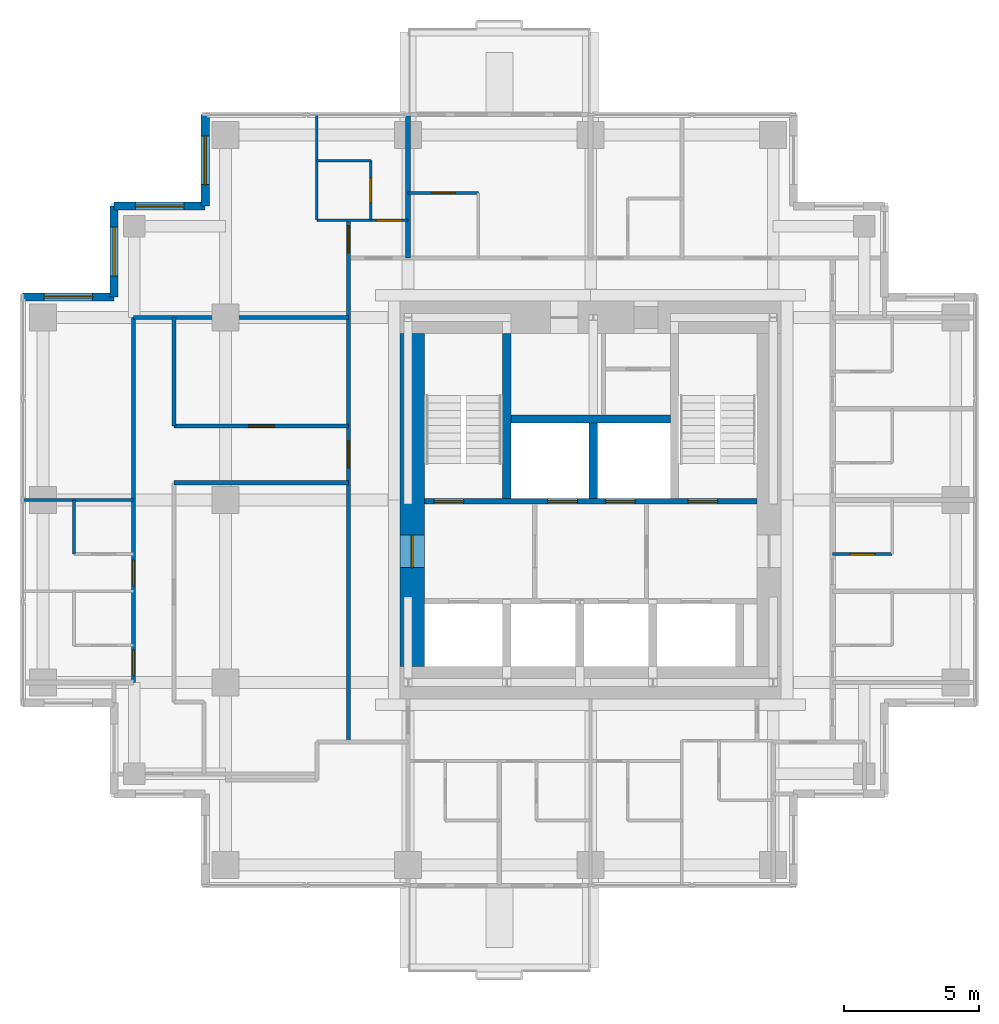
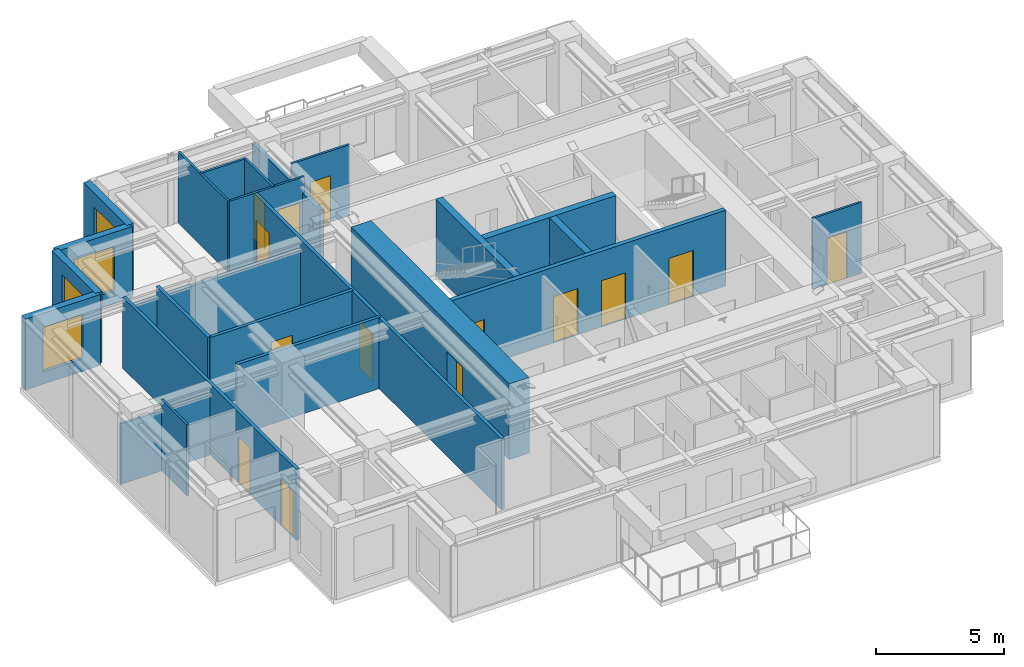
# One storey, part 5 of 8: 24 walls, 14 doors, 4 windows, 18 openings.
"""IFC4 building model written with IfcOpenShell, lengths in metres."""

import ifcopenshell
import ifcopenshell.guid

model = None  # the IFC model being written
_history = None  # IfcOwnerHistory: only IFC2X3 demands one
_inside = {}  # id of a spatial element -> (the spatial element, [elements in it])
_under = {}  # id of a project, library or spatial element -> (it, [spatial elements below it])
_declared = {}  # id of a project -> (the project, [libraries it declares])
_typed = {}  # id of a type object -> (the type object, [elements of that type])
_made_of = {}  # id of a material, layer set ... -> (it, [elements and type objects made of it])


def new_model(schema):
    """Start an empty IFC model of exactly this schema.

    Asked for "IFC4X3", IfcOpenShell would pick the latest addendum, in which some entities
    have other attributes; the version numbers below select the first issue.
    IFC2X3 requires an IfcOwnerHistory on every rooted entity: one is made here for all.
    """
    global model, _history
    if schema == "IFC4X3":
        model = ifcopenshell.file(schema_version=(4, 3, 0, 0))
    else:
        model = ifcopenshell.file(schema=schema)
    _inside.clear()
    _under.clear()
    _declared.clear()
    _typed.clear()
    _made_of.clear()
    _history = None
    if model.schema == "IFC2X3":
        org = make("IfcOrganization", Name="unknown")
        user = make(
            "IfcPersonAndOrganization",
            ThePerson=make("IfcPerson", FamilyName="unknown"),
            TheOrganization=org,
        )
        app = make(
            "IfcApplication",
            ApplicationDeveloper=org,
            Version="unknown",
            ApplicationFullName="unknown",
            ApplicationIdentifier="unknown",
        )
        _history = make(
            "IfcOwnerHistory",
            OwningUser=user,
            OwningApplication=app,
            ChangeAction="ADDED",
            CreationDate=0,
        )
    return model


def make(cls, **values):
    """One entity of the class cls with the attributes given. An attribute that is None is left unset."""
    return model.create_entity(
        cls, **{name: value for name, value in values.items() if value is not None}
    )


def rooted(cls, **values):
    """An entity with a GlobalId (a new one), such as an element, a storey or a relation."""
    return make(cls, GlobalId=ifcopenshell.guid.new(), OwnerHistory=_history, **values)


def si_unit(unit_type, name, prefix=None):
    """IfcSIUnit, for example si_unit("LENGTHUNIT", "METRE", prefix="MILLI")."""
    return make("IfcSIUnit", UnitType=unit_type, Prefix=prefix, Name=name)


def assignment(units):
    """IfcUnitAssignment: the units of a project."""
    return None if units is None else make("IfcUnitAssignment", Units=units)


def point(xyz):
    """IfcCartesianPoint."""
    return None if xyz is None else make("IfcCartesianPoint", Coordinates=xyz)


def direction(xyz):
    """IfcDirection."""
    return None if xyz is None else make("IfcDirection", DirectionRatios=xyz)


def frame(location, z_axis=None, x_axis=None):
    """IfcAxis2Placement3D, a coordinate frame: its origin and axes. An axis left out is left unset."""
    return make(
        "IfcAxis2Placement3D",
        Location=point(location),
        Axis=direction(z_axis),
        RefDirection=direction(x_axis),
    )


def frame_2d(location, x_axis=None):
    """IfcAxis2Placement2D, a coordinate frame in the plane: its origin and x axis."""
    return make(
        "IfcAxis2Placement2D", Location=point(location), RefDirection=direction(x_axis)
    )


def origin():
    """The frame at (0, 0, 0) with its axes left unset."""
    return frame((0.0, 0.0, 0.0))


def place(relative_to, where):
    """IfcLocalPlacement: puts the frame where relative to a parent placement (None: the world)."""
    return make(
        "IfcLocalPlacement", PlacementRelTo=relative_to, RelativePlacement=where
    )


def context(
    kind, dimensions, precision=None, world=None, true_north=None, identifier=None
):
    """IfcGeometricRepresentationContext, for example the 3D "Model" context."""
    return make(
        "IfcGeometricRepresentationContext",
        ContextIdentifier=identifier,
        ContextType=kind,
        CoordinateSpaceDimension=dimensions,
        Precision=precision,
        WorldCoordinateSystem=world,
        TrueNorth=true_north,
    )


def subcontext(parent, identifier, kind, view, scale=None):
    """IfcGeometricRepresentationSubContext, for example "Body" below "Model"."""
    return make(
        "IfcGeometricRepresentationSubContext",
        ContextIdentifier=identifier,
        ContextType=kind,
        ParentContext=parent,
        TargetScale=scale,
        TargetView=view,
    )


def project(units=None, contexts=None):
    """IfcProject with its units and contexts."""
    return rooted(
        "IfcProject",
        Name="project",
        RepresentationContexts=contexts,
        UnitsInContext=assignment(units),
    )


def spatial(cls, under=None, at=None, **own):
    """A site, building, storey or space (cls), placed at a placement, below another one or the project."""
    s = rooted(cls, ObjectPlacement=at, **own)
    if under is not None:
        _under.setdefault(under.id(), (under, []))[1].append(s)
    return s


def profile(cls, at=None, kind="AREA", **sizes):
    """A parametric profile (cls). Its sizes go by their IFC names, for example OverallWidth=200.0."""
    return make(cls, ProfileType=kind, Position=at, **sizes)


def rectangle(**sizes):
    """IfcRectangleProfileDef."""
    return profile("IfcRectangleProfileDef", **sizes)


def extrude(swept, where, along, depth):
    """IfcExtrudedAreaSolid: the profile swept, set in the frame where, extruded along a direction by depth."""
    return make(
        "IfcExtrudedAreaSolid",
        SweptArea=swept,
        Position=where,
        ExtrudedDirection=direction(along),
        Depth=depth,
    )


def shape(context_of_items, identifier, shape_type, items):
    """IfcShapeRepresentation: the items that make up one representation, for example the "Body"."""
    return make(
        "IfcShapeRepresentation",
        ContextOfItems=context_of_items,
        RepresentationIdentifier=identifier,
        RepresentationType=shape_type,
        Items=items,
    )


def material(Name=None, Category=None):
    """IfcMaterial."""
    return make("IfcMaterial", Name=Name, Category=Category)


def layer(
    of_material, thickness, ventilated=None, Name=None, Category=None, Priority=None
):
    """IfcMaterialLayer: one layer of a wall or slab, of a material (None: an air gap)."""
    return make(
        "IfcMaterialLayer",
        Material=of_material,
        LayerThickness=thickness,
        IsVentilated=ventilated,
        Name=Name,
        Category=Category,
        Priority=Priority,
    )


def layer_set(layers, Name=None):
    """IfcMaterialLayerSet."""
    return make("IfcMaterialLayerSet", MaterialLayers=layers, LayerSetName=Name)


def made_of(thing, what):
    """Note that an element or type object is made of a material, layer set ...; save() writes the relation."""
    if what is not None:
        _made_of.setdefault(what.id(), (what, []))[1].append(thing)
    return thing


def type_object(cls, material=None, **own):
    """A type object (cls), such as IfcWallType, which elements share."""
    return made_of(rooted(cls, **own), material)


def element(
    cls,
    number,
    at=None,
    inside=None,
    cuts=None,
    type_object=None,
    material=None,
    context=None,
    identifier="Body",
    shape_type=None,
    held_by="IfcProductDefinitionShape",
    body=None,
    shapes=None,
    **own,
):
    """One element of the class cls, such as IfcWall. Its Tag is "e" and its number.

    at: its placement. inside: the storey or other place that contains it. cuts: it is an
    opening in that element (IfcRelVoidsElement). A single representation is given by context,
    identifier, shape_type and body (its items); several are given by shapes. held_by: the class
    of the entity that holds the representations. save() writes the other relations.
    """
    e = rooted(cls, Tag="e%d" % number, ObjectPlacement=at, **own)
    if body is not None:
        shapes = [shape(context, identifier, shape_type, body)]
    if shapes is not None:
        e.Representation = make(held_by, Representations=shapes)
    if inside is not None:
        _inside.setdefault(inside.id(), (inside, []))[1].append(e)
    if cuts is not None:
        rooted(
            "IfcRelVoidsElement", RelatingBuildingElement=cuts, RelatedOpeningElement=e
        )
    if type_object is not None:
        _typed.setdefault(type_object.id(), (type_object, []))[1].append(e)
    return made_of(e, material)


def fill(opening, filler):
    """IfcRelFillsElement: the door or window that sits in an opening."""
    return rooted(
        "IfcRelFillsElement",
        RelatingOpeningElement=opening,
        RelatedBuildingElement=filler,
    )


def aggregate(whole, parts):
    """IfcRelAggregates: a whole, such as a stair, and the parts it consists of."""
    return rooted("IfcRelAggregates", RelatingObject=whole, RelatedObjects=parts)


def save(model, path):
    """Write the relations noted so far, then the file.

    IfcRelAggregates (storeys below a building ...), IfcRelContainedInSpatialStructure (elements
    in a storey), IfcRelDefinesByType, IfcRelAssociatesMaterial and IfcRelDeclares: one each for
    every whole, place, type object, material and project.
    """
    for whole, parts in _under.values():
        aggregate(whole, parts)
    for where, things in _inside.values():
        rooted(
            "IfcRelContainedInSpatialStructure",
            RelatedElements=things,
            RelatingStructure=where,
        )
    for kind, things in _typed.values():
        rooted("IfcRelDefinesByType", RelatedObjects=things, RelatingType=kind)
    for what, things in _made_of.values():
        rooted("IfcRelAssociatesMaterial", RelatedObjects=things, RelatingMaterial=what)
    for by, libraries in _declared.values():
        rooted("IfcRelDeclares", RelatingContext=by, RelatedDefinitions=libraries)
    model.write(path)


model = new_model("IFC4")

# Units and contexts
model_context = context("Model", 3, precision=1e-05, world=origin(), true_north=direction((0.0, 1.0)))
body_context = subcontext(model_context, "Body", "Model", "MODEL_VIEW")
ifc_project = project(units=[si_unit("LENGTHUNIT", "METRE"), si_unit("AREAUNIT", "SQUARE_METRE"), si_unit("VOLUMEUNIT", "CUBIC_METRE"), si_unit("PLANEANGLEUNIT", "RADIAN"), si_unit("MASSUNIT", "GRAM", prefix="KILO")], contexts=[model_context])

# Site, building, storey
site_placement = place(None, origin())
site = spatial("IfcSite", under=ifc_project, at=site_placement, CompositionType="ELEMENT")
building_placement = place(site_placement, origin())
building = spatial("IfcBuilding", under=site, at=building_placement, Name="Nyansa Garden Tower", CompositionType="ELEMENT")
storey_placement = place(building_placement, frame((0.0, 0.0, 247.5)))
storey = spatial("IfcBuildingStorey", under=building, at=storey_placement, Name="L67", CompositionType="ELEMENT", Elevation=247.5)

# Wall
ifc_material_1 = material(Name="Dense blockwork, plastered both sides, 55 dB", Category="masonry")
ifc_layer_1 = layer(ifc_material_1, 0.175048828125)
ifc_layer_set_1 = layer_set([ifc_layer_1], Name="Acoustic party wall PW175")
wall_type_1 = type_object("IfcWallType", Name="Acoustic party wall PW175", PredefinedType="PARTITIONING", material=ifc_layer_set_1)
wall_1_placement = place(storey_placement, frame((13.5, 29.199951171875, 0.0), z_axis=(0.0, 0.0, 1.0), x_axis=(0.0, 1.0, 0.0)))
element("IfcWall", 1, at=wall_1_placement, inside=storey, type_object=wall_type_1, Name="Party wall", PredefinedType="PARTITIONING", context=body_context, shape_type="SweptSolid", body=[
    extrude(rectangle(XDim=5.283935546875, YDim=0.175048828125, at=frame_2d((2.64208984375, 0.0))), origin(), (0.0, 0.0, 1.0), 2.610107421875),
])

# Wall, openings, doors
ifc_material_2 = material(Name="Concrete C70/85", Category="concrete")
ifc_layer_2 = layer(ifc_material_2, 0.199951171875)
ifc_layer_set_2 = layer_set([ifc_layer_2], Name="Core inner wall CI200")
wall_type_2 = type_object("IfcWallType", Name="Core inner wall CI200", PredefinedType="SHEAR", material=ifc_layer_set_2)
wall_2_placement = place(storey_placement, frame((14.10009765625, 20.199951171875, 0.0), z_axis=(0.0, 0.0, 1.0), x_axis=(1.0, 0.0, 0.0)))
wall_2 = element("IfcWall", 2, at=wall_2_placement, inside=storey, type_object=wall_type_2, Name="Core inner wall L67", PredefinedType="SHEAR", context=body_context, shape_type="SweptSolid", body=[
    extrude(rectangle(XDim=12.2998046875, YDim=0.199951171875, at=frame_2d((6.14990234375, 0.0))), origin(), (0.0, 0.0, 1.0), 3.60009765625),
])
opening_1_placement = place(wall_2_placement, frame((4.56005859375, 0.0, 0.0)))
opening_1 = element("IfcOpeningElement", 3, at=opening_1_placement, cuts=wall_2, Name="Opening LD-B", PredefinedType="OPENING", context=body_context, shape_type="SweptSolid", body=[
    extrude(rectangle(XDim=1.10009765625, YDim=2.199951171875, at=frame_2d((0.550048828125, 1.10009765625))), frame((0.0, 0.10986328125, 0.0), z_axis=(0.0, -1.0, 0.0), x_axis=(1.0, 0.0, 0.0)), (0.0, 0.0, 1.0), 0.219970703125),
])
opening_2_placement = place(wall_2_placement, frame((6.699951171875, 0.0, 0.0)))
opening_2 = element("IfcOpeningElement", 4, at=opening_2_placement, cuts=wall_2, Name="Opening LD-B", PredefinedType="OPENING", context=body_context, shape_type="SweptSolid", body=[
    extrude(rectangle(XDim=1.10009765625, YDim=2.199951171875, at=frame_2d((0.550048828125, 1.10009765625))), frame((0.0, 0.10986328125, 0.0), z_axis=(0.0, -1.0, 0.0), x_axis=(1.0, 0.0, 0.0)), (0.0, 0.0, 1.0), 0.219970703125),
])
opening_3_placement = place(wall_2_placement, frame((0.35009765625, 0.0, 0.0)))
opening_3 = element("IfcOpeningElement", 5, at=opening_3_placement, cuts=wall_2, Name="Opening D05", PredefinedType="OPENING", context=body_context, shape_type="SweptSolid", body=[
    extrude(rectangle(XDim=1.10009765625, YDim=2.199951171875, at=frame_2d((0.550048828125, 1.10009765625))), frame((0.0, 0.10986328125, 0.0), z_axis=(0.0, -1.0, 0.0), x_axis=(1.0, 0.0, 0.0)), (0.0, 0.0, 1.0), 0.219970703125),
])
opening_4_placement = place(wall_2_placement, frame((9.75, 0.0, 0.0)))
opening_4 = element("IfcOpeningElement", 6, at=opening_4_placement, cuts=wall_2, Name="Opening D05", PredefinedType="OPENING", context=body_context, shape_type="SweptSolid", body=[
    extrude(rectangle(XDim=1.10009765625, YDim=2.199951171875, at=frame_2d((0.550048828125, 1.10009765625))), frame((0.0, 0.10986328125, 0.0), z_axis=(0.0, -1.0, 0.0), x_axis=(1.0, 0.0, 0.0)), (0.0, 0.0, 1.0), 0.219970703125),
])
ifc_material_3 = material(Name="Stainless steel centre-opening landing door of the high-rise lift, E 120", Category="steel")
door_type_1 = type_object("IfcDoorType", Name="Lift landing door LD-B 1100x2200", OperationType="DOUBLE_DOOR_SLIDING", PredefinedType="DOOR", material=ifc_material_3)
door_1_placement = place(opening_1_placement, origin())
door_1 = element("IfcDoor", 7, at=door_1_placement, inside=storey, type_object=door_type_1, Name="Landing door B3", OperationType="DOUBLE_DOOR_SLIDING", OverallHeight=2.199951171875, OverallWidth=1.10009765625, PredefinedType="DOOR", context=body_context, shape_type="SweptSolid", body=[
    extrude(rectangle(XDim=1.10009765625, YDim=2.199951171875, at=frame_2d((0.550048828125, 1.10009765625))), frame((0.0, 0.02490234375, 0.0), z_axis=(0.0, -1.0, 0.0), x_axis=(1.0, 0.0, 0.0)), (0.0, 0.0, 1.0), 0.050048828125),
])
fill(opening_1, door_1)
door_2_placement = place(opening_2_placement, origin())
door_2 = element("IfcDoor", 8, at=door_2_placement, inside=storey, type_object=door_type_1, Name="Landing door B4", OperationType="DOUBLE_DOOR_SLIDING", OverallHeight=2.199951171875, OverallWidth=1.10009765625, PredefinedType="DOOR", context=body_context, shape_type="SweptSolid", body=[
    extrude(rectangle(XDim=1.10009765625, YDim=2.199951171875, at=frame_2d((0.550048828125, 1.10009765625))), frame((0.0, 0.02490234375, 0.0), z_axis=(0.0, -1.0, 0.0), x_axis=(1.0, 0.0, 0.0)), (0.0, 0.0, 1.0), 0.050048828125),
])
fill(opening_2, door_2)
ifc_material_4 = material(Name="Steel door, 120 minute fire resisting", Category="steel")
door_type_2 = type_object("IfcDoorType", Name="Stair door D05 1100x2200", OperationType="SINGLE_SWING_LEFT", PredefinedType="DOOR", material=ifc_material_4)
door_3_placement = place(opening_3_placement, origin())
door_3 = element("IfcDoor", 9, at=door_3_placement, inside=storey, type_object=door_type_2, Name="Stair S1 door", OperationType="SINGLE_SWING_LEFT", OverallHeight=2.199951171875, OverallWidth=1.10009765625, PredefinedType="DOOR", context=body_context, shape_type="SweptSolid", body=[
    extrude(rectangle(XDim=1.10009765625, YDim=2.199951171875, at=frame_2d((0.550048828125, 1.10009765625))), frame((0.0, 0.02490234375, 0.0), z_axis=(0.0, -1.0, 0.0), x_axis=(1.0, 0.0, 0.0)), (0.0, 0.0, 1.0), 0.050048828125),
])
fill(opening_3, door_3)
door_4_placement = place(opening_4_placement, origin())
door_4 = element("IfcDoor", 10, at=door_4_placement, inside=storey, type_object=door_type_2, Name="Stair S2 door", OperationType="SINGLE_SWING_LEFT", OverallHeight=2.199951171875, OverallWidth=1.10009765625, PredefinedType="DOOR", context=body_context, shape_type="SweptSolid", body=[
    extrude(rectangle(XDim=1.10009765625, YDim=2.199951171875, at=frame_2d((0.550048828125, 1.10009765625))), frame((0.0, 0.02490234375, 0.0), z_axis=(0.0, -1.0, 0.0), x_axis=(1.0, 0.0, 0.0)), (0.0, 0.0, 1.0), 0.050048828125),
])
fill(opening_4, door_4)

# Walls
ifc_material_5 = material(Name="Concrete C70/85", Category="concrete")
ifc_layer_3 = layer(ifc_material_5, 0.300048828125)
ifc_layer_set_3 = layer_set([ifc_layer_3], Name="Core inner wall CI300")
wall_type_3 = type_object("IfcWallType", Name="Core inner wall CI300", PredefinedType="SHEAR", material=ifc_layer_set_3)
wall_3_placement = place(storey_placement, frame((17.14990234375, 20.300048828125, 0.0), z_axis=(0.0, 0.0, 1.0), x_axis=(0.0, 1.0, 0.0)))
element("IfcWall", 11, at=wall_3_placement, inside=storey, type_object=wall_type_3, Name="Core inner wall L67", PredefinedType="SHEAR", context=body_context, shape_type="SweptSolid", body=[
    extrude(rectangle(XDim=6.099853515625, YDim=0.300048828125, at=frame_2d((3.0498046875, 0.0))), origin(), (0.0, 0.0, 1.0), 3.60009765625),
])
wall_4_placement = place(storey_placement, frame((20.35009765625, 20.300048828125, 0.0), z_axis=(0.0, 0.0, 1.0), x_axis=(0.0, 1.0, 0.0)))
element("IfcWall", 12, at=wall_4_placement, inside=storey, type_object=wall_type_3, Name="Core inner wall L67", PredefinedType="SHEAR", context=body_context, shape_type="SweptSolid", body=[
    extrude(rectangle(XDim=2.800048828125, YDim=0.300048828125, at=frame_2d((1.39990234375, 0.0))), origin(), (0.0, 0.0, 1.0), 3.60009765625),
])
wall_5_placement = place(storey_placement, frame((17.300048828125, 23.25, 0.0), z_axis=(0.0, 0.0, 1.0), x_axis=(1.0, 0.0, 0.0)))
element("IfcWall", 13, at=wall_5_placement, inside=storey, type_object=wall_type_3, Name="Core inner wall L67", PredefinedType="SHEAR", context=body_context, shape_type="SweptSolid", body=[
    extrude(rectangle(XDim=5.89990234375, YDim=0.300048828125, at=frame_2d((2.949951171875, 0.0))), origin(), (0.0, 0.0, 1.0), 3.60009765625),
])

# Wall, opening, door
ifc_material_6 = material(Name="Concrete C80/95", Category="concrete")
ifc_layer_4 = layer(ifc_material_6, 0.89990234375)
ifc_layer_set_4 = layer_set([ifc_layer_4], Name="Core wall CW900")
wall_type_4 = type_object("IfcWallType", Name="Core wall CW900", PredefinedType="SHEAR", material=ifc_layer_set_4)
wall_6_placement = place(storey_placement, frame((13.64990234375, 26.39990234375, 0.0), z_axis=(0.0, 0.0, 1.0), x_axis=(0.0, -1.0, 0.0)))
wall_6 = element("IfcWall", 14, at=wall_6_placement, inside=storey, type_object=wall_type_4, Name="Core wall W L67", PredefinedType="SHEAR", context=body_context, shape_type="SweptSolid", body=[
    extrude(rectangle(XDim=12.2998046875, YDim=0.89990234375, at=frame_2d((6.14990234375, 0.0))), origin(), (0.0, 0.0, 1.0), 3.60009765625),
])
opening_5_placement = place(wall_6_placement, frame((7.449951171875, 0.0, 0.0)))
opening_5 = element("IfcOpeningElement", 15, at=opening_5_placement, cuts=wall_6, Name="Opening D06", PredefinedType="OPENING", context=body_context, shape_type="SweptSolid", body=[
    extrude(rectangle(XDim=1.199951171875, YDim=2.199951171875, at=frame_2d((0.60009765625, 1.10009765625))), frame((0.0, 0.4599609375, 0.0), z_axis=(0.0, -1.0, 0.0), x_axis=(1.0, 0.0, 0.0)), (0.0, 0.0, 1.0), 0.919921875),
])
ifc_material_7 = material(Name="Steel door, 120 minute fire resisting", Category="steel")
door_type_3 = type_object("IfcDoorType", Name="Lobby door D06 1200x2200", OperationType="DOUBLE_DOOR_SINGLE_SWING", PredefinedType="DOOR", material=ifc_material_7)
door_5_placement = place(opening_5_placement, origin())
door_5 = element("IfcDoor", 16, at=door_5_placement, inside=storey, type_object=door_type_3, Name="Lift lobby door west", OperationType="DOUBLE_DOOR_SINGLE_SWING", OverallHeight=2.199951171875, OverallWidth=1.199951171875, PredefinedType="DOOR", context=body_context, shape_type="SweptSolid", body=[
    extrude(rectangle(XDim=1.199951171875, YDim=2.199951171875, at=frame_2d((0.60009765625, 1.10009765625))), frame((0.0, 0.02490234375, 0.0), z_axis=(0.0, -1.0, 0.0), x_axis=(1.0, 0.0, 0.0)), (0.0, 0.0, 1.0), 0.050048828125),
])
fill(opening_5, door_5)

# Wall, openings, doors
ifc_material_8 = material(Name="Blockwork, plastered both sides", Category="masonry")
ifc_layer_5 = layer(ifc_material_8, 0.14990234375)
ifc_layer_set_5 = layer_set([ifc_layer_5], Name="Partition PW150")
wall_type_5 = type_object("IfcWallType", Name="Partition PW150", PredefinedType="PARTITIONING", material=ifc_layer_set_5)
wall_7_placement = place(storey_placement, frame((3.35009765625, 13.5, 0.0), z_axis=(0.0, 0.0, 1.0), x_axis=(0.0, 1.0, 0.0)))
wall_7 = element("IfcWall", 17, at=wall_7_placement, inside=storey, type_object=wall_type_5, Name="Partition", PredefinedType="PARTITIONING", context=body_context, shape_type="SweptSolid", body=[
    extrude(rectangle(XDim=13.5, YDim=0.14990234375, at=frame_2d((6.75, 0.0))), origin(), (0.0, 0.0, 1.0), 3.375),
])
opening_6_placement = place(wall_7_placement, frame((0.25, 0.0, 0.0)))
opening_6 = element("IfcOpeningElement", 18, at=opening_6_placement, cuts=wall_7, Name="Opening D14", PredefinedType="OPENING", context=body_context, shape_type="SweptSolid", body=[
    extrude(rectangle(XDim=0.949951171875, YDim=2.199951171875, at=frame_2d((0.47509765625, 1.10009765625))), frame((0.0, 0.0849609375, 0.0), z_axis=(0.0, -1.0, 0.0), x_axis=(1.0, 0.0, 0.0)), (0.0, 0.0, 1.0), 0.169921875),
])
opening_7_placement = place(wall_7_placement, frame((3.574951171875, 0.0, 0.0)))
opening_7 = element("IfcOpeningElement", 19, at=opening_7_placement, cuts=wall_7, Name="Opening D14", PredefinedType="OPENING", context=body_context, shape_type="SweptSolid", body=[
    extrude(rectangle(XDim=0.949951171875, YDim=2.199951171875, at=frame_2d((0.47509765625, 1.10009765625))), frame((0.0, 0.0849609375, 0.0), z_axis=(0.0, -1.0, 0.0), x_axis=(1.0, 0.0, 0.0)), (0.0, 0.0, 1.0), 0.169921875),
])
ifc_material_9 = material(Name="Timber flush door, 60 minute fire resisting, self-closing", Category="wood")
door_type_4 = type_object("IfcDoorType", Name="Studio entrance door D14 950x2200", OperationType="SINGLE_SWING_LEFT", PredefinedType="DOOR", material=ifc_material_9)
door_6_placement = place(opening_6_placement, origin())
door_6 = element("IfcDoor", 20, at=door_6_placement, inside=storey, type_object=door_type_4, Name="Door L67-048", OperationType="SINGLE_SWING_LEFT", OverallHeight=2.199951171875, OverallWidth=0.949951171875, PredefinedType="DOOR", context=body_context, shape_type="SweptSolid", body=[
    extrude(rectangle(XDim=0.949951171875, YDim=2.199951171875, at=frame_2d((0.47509765625, 1.10009765625))), frame((0.0, 0.02490234375, 0.0), z_axis=(0.0, -1.0, 0.0), x_axis=(1.0, 0.0, 0.0)), (0.0, 0.0, 1.0), 0.050048828125),
])
fill(opening_6, door_6)
door_7_placement = place(opening_7_placement, origin())
door_7 = element("IfcDoor", 21, at=door_7_placement, inside=storey, type_object=door_type_4, Name="Door L67-050", OperationType="SINGLE_SWING_LEFT", OverallHeight=2.199951171875, OverallWidth=0.949951171875, PredefinedType="DOOR", context=body_context, shape_type="SweptSolid", body=[
    extrude(rectangle(XDim=0.949951171875, YDim=2.199951171875, at=frame_2d((0.47509765625, 1.10009765625))), frame((0.0, 0.02490234375, 0.0), z_axis=(0.0, -1.0, 0.0), x_axis=(1.0, 0.0, 0.0)), (0.0, 0.0, 1.0), 0.050048828125),
])
fill(opening_7, door_7)

# Walls
wall_8_placement = place(storey_placement, frame((3.35009765625, 27.0, 0.0), z_axis=(0.0, 0.0, 1.0), x_axis=(1.0, 0.0, 0.0)))
element("IfcWall", 22, at=wall_8_placement, inside=storey, type_object=wall_type_5, Name="Partition", PredefinedType="PARTITIONING", context=body_context, shape_type="SweptSolid", body=[
    extrude(rectangle(XDim=7.949951171875, YDim=0.14990234375, at=frame_2d((3.97509765625, 0.0))), origin(), (0.0, 0.0, 1.0), 2.876953125),
])
wall_9_placement = place(storey_placement, frame((4.85009765625, 20.886962890625, 0.0), z_axis=(0.0, 0.0, 1.0), x_axis=(1.0, 0.0, 0.0)))
element("IfcWall", 23, at=wall_9_placement, inside=storey, type_object=wall_type_5, Name="Partition", PredefinedType="PARTITIONING", context=body_context, shape_type="SweptSolid", body=[
    extrude(rectangle(XDim=6.449951171875, YDim=0.14990234375, at=frame_2d((3.22509765625, 0.0))), origin(), (0.0, 0.0, 1.0), 3.375),
])
wall_10_placement = place(storey_placement, frame((4.85009765625, 22.987548828125, 0.0), z_axis=(0.0, 0.0, 1.0), x_axis=(0.0, 1.0, 0.0)))
element("IfcWall", 24, at=wall_10_placement, inside=storey, type_object=wall_type_5, Name="Partition", PredefinedType="PARTITIONING", context=body_context, shape_type="SweptSolid", body=[
    extrude(rectangle(XDim=4.012451171875, YDim=0.14990234375, at=frame_2d((2.00634765625, 0.0))), origin(), (0.0, 0.0, 1.0), 3.375),
])

# Wall, opening, door
wall_11_placement = place(storey_placement, frame((4.85009765625, 22.988037109375, 0.0), z_axis=(0.0, 0.0, 1.0), x_axis=(1.0, 0.0, 0.0)))
wall_11 = element("IfcWall", 25, at=wall_11_placement, inside=storey, type_object=wall_type_5, Name="Partition", PredefinedType="PARTITIONING", context=body_context, shape_type="SweptSolid", body=[
    extrude(rectangle(XDim=6.449951171875, YDim=0.14990234375, at=frame_2d((3.22509765625, 0.0))), origin(), (0.0, 0.0, 1.0), 3.375),
])
opening_8_placement = place(wall_11_placement, frame((2.75, 0.0, 0.0)))
opening_8 = element("IfcOpeningElement", 26, at=opening_8_placement, cuts=wall_11, Name="Opening D01", PredefinedType="OPENING", context=body_context, shape_type="SweptSolid", body=[
    extrude(rectangle(XDim=0.949951171875, YDim=2.199951171875, at=frame_2d((0.47509765625, 1.10009765625))), frame((0.0, 0.0849609375, 0.0), z_axis=(0.0, -1.0, 0.0), x_axis=(1.0, 0.0, 0.0)), (0.0, 0.0, 1.0), 0.169921875),
])
ifc_material_10 = material(Name="Timber flush door, 30 minute fire resisting", Category="wood")
door_type_5 = type_object("IfcDoorType", Name="Bedroom door D01 950x2200", OperationType="SINGLE_SWING_LEFT", PredefinedType="DOOR", material=ifc_material_10)
door_8_placement = place(opening_8_placement, origin())
door_8 = element("IfcDoor", 27, at=door_8_placement, inside=storey, type_object=door_type_5, Name="Door L67-053", OperationType="SINGLE_SWING_LEFT", OverallHeight=2.199951171875, OverallWidth=0.949951171875, PredefinedType="DOOR", context=body_context, shape_type="SweptSolid", body=[
    extrude(rectangle(XDim=0.949951171875, YDim=2.199951171875, at=frame_2d((0.47509765625, 1.10009765625))), frame((0.0, 0.02490234375, 0.0), z_axis=(0.0, -1.0, 0.0), x_axis=(1.0, 0.0, 0.0)), (0.0, 0.0, 1.0), 0.050048828125),
])
fill(opening_8, door_8)

# Wall, openings, doors
wall_12_placement = place(storey_placement, frame((11.300048828125, 11.300048828125, 0.0), z_axis=(0.0, 0.0, 1.0), x_axis=(0.0, 1.0, 0.0)))
wall_12 = element("IfcWall", 28, at=wall_12_placement, inside=storey, type_object=wall_type_5, Name="Partition", PredefinedType="PARTITIONING", context=body_context, shape_type="SweptSolid", body=[
    extrude(rectangle(XDim=19.300048828125, YDim=0.14990234375, at=frame_2d((9.64990234375, 0.0))), origin(), (0.0, 0.0, 1.0), 3.375),
])
opening_9_placement = place(wall_12_placement, frame((18.10009765625, 0.0, 0.0)))
opening_9 = element("IfcOpeningElement", 29, at=opening_9_placement, cuts=wall_12, Name="Opening D03", PredefinedType="OPENING", context=body_context, shape_type="SweptSolid", body=[
    extrude(rectangle(XDim=1.0, YDim=2.199951171875, at=frame_2d((0.5, 1.10009765625))), frame((0.0, 0.0849609375, 0.0), z_axis=(0.0, -1.0, 0.0), x_axis=(1.0, 0.0, 0.0)), (0.0, 0.0, 1.0), 0.169921875),
])
opening_10_placement = place(wall_12_placement, frame((10.137451171875, 0.0, 0.0)))
opening_10 = element("IfcOpeningElement", 30, at=opening_10_placement, cuts=wall_12, Name="Opening D03", PredefinedType="OPENING", context=body_context, shape_type="SweptSolid", body=[
    extrude(rectangle(XDim=1.0, YDim=2.199951171875, at=frame_2d((0.5, 1.10009765625))), frame((0.0, 0.0849609375, 0.0), z_axis=(0.0, -1.0, 0.0), x_axis=(1.0, 0.0, 0.0)), (0.0, 0.0, 1.0), 0.169921875),
])
ifc_material_11 = material(Name="Timber flush door, 60 minute fire resisting", Category="wood")
door_type_6 = type_object("IfcDoorType", Name="Cluster entrance door D03 1000x2200", OperationType="SINGLE_SWING_LEFT", PredefinedType="DOOR", material=ifc_material_11)
door_9_placement = place(opening_9_placement, origin())
door_9 = element("IfcDoor", 31, at=door_9_placement, inside=storey, type_object=door_type_6, Name="Door L67-047", OperationType="SINGLE_SWING_LEFT", OverallHeight=2.199951171875, OverallWidth=1.0, PredefinedType="DOOR", context=body_context, shape_type="SweptSolid", body=[
    extrude(rectangle(XDim=1.0, YDim=2.199951171875, at=frame_2d((0.5, 1.10009765625))), frame((0.0, 0.02490234375, 0.0), z_axis=(0.0, -1.0, 0.0), x_axis=(1.0, 0.0, 0.0)), (0.0, 0.0, 1.0), 0.050048828125),
])
fill(opening_9, door_9)
door_10_placement = place(opening_10_placement, origin())
door_10 = element("IfcDoor", 32, at=door_10_placement, inside=storey, type_object=door_type_6, Name="Door L67-052", OperationType="SINGLE_SWING_LEFT", OverallHeight=2.199951171875, OverallWidth=1.0, PredefinedType="DOOR", context=body_context, shape_type="SweptSolid", body=[
    extrude(rectangle(XDim=1.0, YDim=2.199951171875, at=frame_2d((0.5, 1.10009765625))), frame((0.0, 0.02490234375, 0.0), z_axis=(0.0, -1.0, 0.0), x_axis=(1.0, 0.0, 0.0)), (0.0, 0.0, 1.0), 0.050048828125),
])
fill(opening_10, door_10)

# Wall, opening, window
ifc_material_12 = material(Name="Turquoise glazed tile on concrete blockwork", Category="masonry")
ifc_layer_6 = layer(ifc_material_12, 0.300048828125)
ifc_layer_set_6 = layer_set([ifc_layer_6], Name="Tiled corner wall TW300")
wall_type_6 = type_object("IfcWallType", Name="Tiled corner wall TW300", PredefinedType="SOLIDWALL", material=ifc_layer_set_6)
wall_13_placement = place(storey_placement, frame((6.0, 34.5, 0.0), z_axis=(0.0, 0.0, 1.0), x_axis=(0.0, -1.0, 0.0)))
wall_13 = element("IfcWall", 33, at=wall_13_placement, inside=storey, type_object=wall_type_6, Name="Tiled corner wall L67", PredefinedType="SOLIDWALL", context=body_context, shape_type="SweptSolid", body=[
    extrude(rectangle(XDim=3.375, YDim=0.300048828125, at=frame_2d((1.6875, 0.0))), origin(), (0.0, 0.0, 1.0), 3.375),
])
opening_11_placement = place(wall_13_placement, frame((0.78759765625, 0.0, 0.60009765625)))
opening_11 = element("IfcOpeningElement", 34, at=opening_11_placement, cuts=wall_13, Name="Opening W2", PredefinedType="OPENING", context=body_context, shape_type="SweptSolid", body=[
    extrude(rectangle(XDim=1.800048828125, YDim=2.10009765625, at=frame_2d((0.89990234375, 1.050048828125))), frame((0.0, 0.159912109375, 0.0), z_axis=(0.0, -1.0, 0.0), x_axis=(1.0, 0.0, 0.0)), (0.0, 0.0, 1.0), 0.320068359375),
])
ifc_material_13 = material(Name="Black aluminium frame, dark tinted double glazing", Category="aluminium")
window_type = type_object("IfcWindowType", Name="Window W2 1800x2100", PartitioningType="SINGLE_PANEL", PredefinedType="WINDOW", material=ifc_material_13)
window_1_placement = place(opening_11_placement, origin())
window_1 = element("IfcWindow", 35, at=window_1_placement, inside=storey, type_object=window_type, Name="Corner window L67", OverallHeight=2.10009765625, OverallWidth=1.800048828125, PartitioningType="SINGLE_PANEL", PredefinedType="WINDOW", context=body_context, shape_type="SweptSolid", body=[
    extrude(rectangle(XDim=1.800048828125, YDim=2.10009765625, at=frame_2d((0.89990234375, 1.050048828125))), frame((0.0, 0.030029296875, 0.0), z_axis=(0.0, -1.0, 0.0), x_axis=(1.0, 0.0, 0.0)), (0.0, 0.0, 1.0), 0.06005859375),
])
fill(opening_11, window_1)

wall_14_placement = place(storey_placement, frame((6.0, 31.125, 0.0), z_axis=(0.0, 0.0, 1.0), x_axis=(-1.0, 0.0, 0.0)))
wall_14 = element("IfcWall", 36, at=wall_14_placement, inside=storey, type_object=wall_type_6, Name="Tiled corner wall L67", PredefinedType="SOLIDWALL", context=body_context, shape_type="SweptSolid", body=[
    extrude(rectangle(XDim=3.375, YDim=0.300048828125, at=frame_2d((1.6875, 0.0))), origin(), (0.0, 0.0, 1.0), 3.375),
])
opening_12_placement = place(wall_14_placement, frame((0.78759765625, 0.0, 0.60009765625)))
opening_12 = element("IfcOpeningElement", 37, at=opening_12_placement, cuts=wall_14, Name="Opening W2", PredefinedType="OPENING", context=body_context, shape_type="SweptSolid", body=[
    extrude(rectangle(XDim=1.800048828125, YDim=2.10009765625, at=frame_2d((0.89990234375, 1.050048828125))), frame((0.0, 0.159912109375, 0.0), z_axis=(0.0, -1.0, 0.0), x_axis=(1.0, 0.0, 0.0)), (0.0, 0.0, 1.0), 0.320068359375),
])
window_2_placement = place(opening_12_placement, origin())
window_2 = element("IfcWindow", 38, at=window_2_placement, inside=storey, type_object=window_type, Name="Corner window L67", OverallHeight=2.10009765625, OverallWidth=1.800048828125, PartitioningType="SINGLE_PANEL", PredefinedType="WINDOW", context=body_context, shape_type="SweptSolid", body=[
    extrude(rectangle(XDim=1.800048828125, YDim=2.10009765625, at=frame_2d((0.89990234375, 1.050048828125))), frame((0.0, 0.030029296875, 0.0), z_axis=(0.0, -1.0, 0.0), x_axis=(1.0, 0.0, 0.0)), (0.0, 0.0, 1.0), 0.06005859375),
])
fill(opening_12, window_2)

wall_15_placement = place(storey_placement, frame((2.625, 31.125, 0.0), z_axis=(0.0, 0.0, 1.0), x_axis=(0.0, -1.0, 0.0)))
wall_15 = element("IfcWall", 39, at=wall_15_placement, inside=storey, type_object=wall_type_6, Name="Tiled corner wall L67", PredefinedType="SOLIDWALL", context=body_context, shape_type="SweptSolid", body=[
    extrude(rectangle(XDim=3.375, YDim=0.300048828125, at=frame_2d((1.6875, 0.0))), origin(), (0.0, 0.0, 1.0), 3.375),
])
opening_13_placement = place(wall_15_placement, frame((0.78759765625, 0.0, 0.60009765625)))
opening_13 = element("IfcOpeningElement", 40, at=opening_13_placement, cuts=wall_15, Name="Opening W2", PredefinedType="OPENING", context=body_context, shape_type="SweptSolid", body=[
    extrude(rectangle(XDim=1.800048828125, YDim=2.10009765625, at=frame_2d((0.89990234375, 1.050048828125))), frame((0.0, 0.159912109375, 0.0), z_axis=(0.0, -1.0, 0.0), x_axis=(1.0, 0.0, 0.0)), (0.0, 0.0, 1.0), 0.320068359375),
])
window_3_placement = place(opening_13_placement, origin())
window_3 = element("IfcWindow", 41, at=window_3_placement, inside=storey, type_object=window_type, Name="Corner window L67", OverallHeight=2.10009765625, OverallWidth=1.800048828125, PartitioningType="SINGLE_PANEL", PredefinedType="WINDOW", context=body_context, shape_type="SweptSolid", body=[
    extrude(rectangle(XDim=1.800048828125, YDim=2.10009765625, at=frame_2d((0.89990234375, 1.050048828125))), frame((0.0, 0.030029296875, 0.0), z_axis=(0.0, -1.0, 0.0), x_axis=(1.0, 0.0, 0.0)), (0.0, 0.0, 1.0), 0.06005859375),
])
fill(opening_13, window_3)

wall_16_placement = place(storey_placement, frame((2.625, 27.75, 0.0), z_axis=(0.0, 0.0, 1.0), x_axis=(-1.0, 0.0, 0.0)))
wall_16 = element("IfcWall", 42, at=wall_16_placement, inside=storey, type_object=wall_type_6, Name="Tiled corner wall L67", PredefinedType="SOLIDWALL", context=body_context, shape_type="SweptSolid", body=[
    extrude(rectangle(XDim=3.375, YDim=0.300048828125, at=frame_2d((1.6875, 0.0))), origin(), (0.0, 0.0, 1.0), 3.375),
])
opening_14_placement = place(wall_16_placement, frame((0.78759765625, 0.0, 0.60009765625)))
opening_14 = element("IfcOpeningElement", 43, at=opening_14_placement, cuts=wall_16, Name="Opening W2", PredefinedType="OPENING", context=body_context, shape_type="SweptSolid", body=[
    extrude(rectangle(XDim=1.800048828125, YDim=2.10009765625, at=frame_2d((0.89990234375, 1.050048828125))), frame((0.0, 0.159912109375, 0.0), z_axis=(0.0, -1.0, 0.0), x_axis=(1.0, 0.0, 0.0)), (0.0, 0.0, 1.0), 0.320068359375),
])
window_4_placement = place(opening_14_placement, origin())
window_4 = element("IfcWindow", 44, at=window_4_placement, inside=storey, type_object=window_type, Name="Corner window L67", OverallHeight=2.10009765625, OverallWidth=1.800048828125, PartitioningType="SINGLE_PANEL", PredefinedType="WINDOW", context=body_context, shape_type="SweptSolid", body=[
    extrude(rectangle(XDim=1.800048828125, YDim=2.10009765625, at=frame_2d((0.89990234375, 1.050048828125))), frame((0.0, 0.030029296875, 0.0), z_axis=(0.0, -1.0, 0.0), x_axis=(1.0, 0.0, 0.0)), (0.0, 0.0, 1.0), 0.06005859375),
])
fill(opening_14, window_4)

# Walls
ifc_material_14 = material(Name="Moisture resistant board on steel studs, tiled", Category="steel")
ifc_layer_7 = layer(ifc_material_14, 0.10009765625)
ifc_layer_set_7 = layer_set([ifc_layer_7], Name="Wet wall PW100")
wall_type_7 = type_object("IfcWallType", Name="Wet wall PW100", PredefinedType="PARTITIONING", material=ifc_layer_set_7)
wall_17_placement = place(storey_placement, frame((-0.73388671875, 20.25, 0.0), z_axis=(0.0, 0.0, 1.0), x_axis=(1.0, 0.0, 0.0)))
element("IfcWall", 45, at=wall_17_placement, inside=storey, type_object=wall_type_7, Name="Wet wall", PredefinedType="PARTITIONING", context=body_context, shape_type="SweptSolid", body=[
    extrude(rectangle(XDim=4.083984375, YDim=0.10009765625, at=frame_2d((2.0419921875, 0.0))), origin(), (0.0, 0.0, 1.0), 2.876953125),
])
wall_18_placement = place(storey_placement, frame((1.14990234375, 18.25, 0.0), z_axis=(0.0, 0.0, 1.0), x_axis=(0.0, 1.0, 0.0)))
element("IfcWall", 46, at=wall_18_placement, inside=storey, type_object=wall_type_7, Name="Wet wall", PredefinedType="PARTITIONING", context=body_context, shape_type="SweptSolid", body=[
    extrude(rectangle(XDim=2.0, YDim=0.10009765625, at=frame_2d((1.0, 0.0))), origin(), (0.0, 0.0, 1.0), 3.375),
])
wall_19_placement = place(storey_placement, frame((10.125, 30.60009765625, 0.0), z_axis=(0.0, 0.0, 1.0), x_axis=(0.0, 1.0, 0.0)))
element("IfcWall", 47, at=wall_19_placement, inside=storey, type_object=wall_type_7, Name="Wet wall", PredefinedType="PARTITIONING", context=body_context, shape_type="SweptSolid", body=[
    extrude(rectangle(XDim=3.8837890625, YDim=0.10009765625, at=frame_2d((1.94189453125, 0.0))), origin(), (0.0, 0.0, 1.0), 3.375),
])

# Wall, opening, door
wall_20_placement = place(storey_placement, frame((10.125, 30.60009765625, 0.0), z_axis=(0.0, 0.0, 1.0), x_axis=(1.0, 0.0, 0.0)))
wall_20 = element("IfcWall", 48, at=wall_20_placement, inside=storey, type_object=wall_type_7, Name="Wet wall", PredefinedType="PARTITIONING", context=body_context, shape_type="SweptSolid", body=[
    extrude(rectangle(XDim=3.375, YDim=0.10009765625, at=frame_2d((1.6875, 0.0))), origin(), (0.0, 0.0, 1.0), 3.375),
])
opening_15_placement = place(wall_20_placement, frame((2.199951171875, 0.0, 0.0)))
opening_15 = element("IfcOpeningElement", 49, at=opening_15_placement, cuts=wall_20, Name="Opening D14", PredefinedType="OPENING", context=body_context, shape_type="SweptSolid", body=[
    extrude(rectangle(XDim=0.949951171875, YDim=2.199951171875, at=frame_2d((0.47509765625, 1.10009765625))), frame((0.0, 0.06005859375, 0.0), z_axis=(0.0, -1.0, 0.0), x_axis=(1.0, 0.0, 0.0)), (0.0, 0.0, 1.0), 0.1201171875),
])
door_11_placement = place(opening_15_placement, origin())
door_11 = element("IfcDoor", 50, at=door_11_placement, inside=storey, type_object=door_type_4, Name="Door L67-042", OperationType="SINGLE_SWING_LEFT", OverallHeight=2.199951171875, OverallWidth=0.949951171875, PredefinedType="DOOR", context=body_context, shape_type="SweptSolid", body=[
    extrude(rectangle(XDim=0.949951171875, YDim=2.199951171875, at=frame_2d((0.47509765625, 1.10009765625))), frame((0.0, 0.02490234375, 0.0), z_axis=(0.0, -1.0, 0.0), x_axis=(1.0, 0.0, 0.0)), (0.0, 0.0, 1.0), 0.050048828125),
])
fill(opening_15, door_11)

# Wall
wall_21_placement = place(storey_placement, frame((10.125, 32.800048828125, 0.0), z_axis=(0.0, 0.0, 1.0), x_axis=(1.0, 0.0, 0.0)))
element("IfcWall", 51, at=wall_21_placement, inside=storey, type_object=wall_type_7, Name="Wet wall", PredefinedType="PARTITIONING", context=body_context, shape_type="SweptSolid", body=[
    extrude(rectangle(XDim=2.0, YDim=0.10009765625, at=frame_2d((1.0, 0.0))), origin(), (0.0, 0.0, 1.0), 3.375),
])

# Wall, opening, door
wall_22_placement = place(storey_placement, frame((12.125, 30.60009765625, 0.0), z_axis=(0.0, 0.0, 1.0), x_axis=(0.0, 1.0, 0.0)))
wall_22 = element("IfcWall", 52, at=wall_22_placement, inside=storey, type_object=wall_type_7, Name="Wet wall", PredefinedType="PARTITIONING", context=body_context, shape_type="SweptSolid", body=[
    extrude(rectangle(XDim=2.199951171875, YDim=0.10009765625, at=frame_2d((1.10009765625, 0.0))), origin(), (0.0, 0.0, 1.0), 3.375),
])
opening_16_placement = place(wall_22_placement, frame((0.64990234375, 0.0, 0.0)))
opening_16 = element("IfcOpeningElement", 53, at=opening_16_placement, cuts=wall_22, Name="Opening D02", PredefinedType="OPENING", context=body_context, shape_type="SweptSolid", body=[
    extrude(rectangle(XDim=0.89990234375, YDim=2.199951171875, at=frame_2d((0.449951171875, 1.10009765625))), frame((0.0, 0.06005859375, 0.0), z_axis=(0.0, -1.0, 0.0), x_axis=(1.0, 0.0, 0.0)), (0.0, 0.0, 1.0), 0.1201171875),
])
ifc_material_15 = material(Name="Timber flush door", Category="wood")
door_type_7 = type_object("IfcDoorType", Name="En-suite door D02 900x2200", OperationType="SINGLE_SWING_RIGHT", PredefinedType="DOOR", material=ifc_material_15)
door_12_placement = place(opening_16_placement, origin())
door_12 = element("IfcDoor", 54, at=door_12_placement, inside=storey, type_object=door_type_7, Name="Door L67-043", OperationType="SINGLE_SWING_RIGHT", OverallHeight=2.199951171875, OverallWidth=0.89990234375, PredefinedType="DOOR", context=body_context, shape_type="SweptSolid", body=[
    extrude(rectangle(XDim=0.89990234375, YDim=2.199951171875, at=frame_2d((0.449951171875, 1.10009765625))), frame((0.0, 0.02490234375, 0.0), z_axis=(0.0, -1.0, 0.0), x_axis=(1.0, 0.0, 0.0)), (0.0, 0.0, 1.0), 0.050048828125),
])
fill(opening_16, door_12)

wall_23_placement = place(storey_placement, frame((13.5, 31.60009765625, 0.0), z_axis=(0.0, 0.0, 1.0), x_axis=(1.0, 0.0, 0.0)))
wall_23 = element("IfcWall", 55, at=wall_23_placement, inside=storey, type_object=wall_type_7, Name="Wet wall", PredefinedType="PARTITIONING", context=body_context, shape_type="SweptSolid", body=[
    extrude(rectangle(XDim=2.60009765625, YDim=0.10009765625, at=frame_2d((1.300048828125, 0.0))), origin(), (0.0, 0.0, 1.0), 3.375),
])
opening_17_placement = place(wall_23_placement, frame((0.85009765625, 0.0, 0.0)))
opening_17 = element("IfcOpeningElement", 56, at=opening_17_placement, cuts=wall_23, Name="Opening D02", PredefinedType="OPENING", context=body_context, shape_type="SweptSolid", body=[
    extrude(rectangle(XDim=0.89990234375, YDim=2.199951171875, at=frame_2d((0.449951171875, 1.10009765625))), frame((0.0, 0.06005859375, 0.0), z_axis=(0.0, -1.0, 0.0), x_axis=(1.0, 0.0, 0.0)), (0.0, 0.0, 1.0), 0.1201171875),
])
door_13_placement = place(opening_17_placement, origin())
door_13 = element("IfcDoor", 57, at=door_13_placement, inside=storey, type_object=door_type_7, Name="Door L67-041", OperationType="SINGLE_SWING_RIGHT", OverallHeight=2.199951171875, OverallWidth=0.89990234375, PredefinedType="DOOR", context=body_context, shape_type="SweptSolid", body=[
    extrude(rectangle(XDim=0.89990234375, YDim=2.199951171875, at=frame_2d((0.449951171875, 1.10009765625))), frame((0.0, 0.02490234375, 0.0), z_axis=(0.0, -1.0, 0.0), x_axis=(1.0, 0.0, 0.0)), (0.0, 0.0, 1.0), 0.050048828125),
])
fill(opening_17, door_13)

wall_24_placement = place(storey_placement, frame((29.199951171875, 18.25, 0.0), z_axis=(0.0, 0.0, 1.0), x_axis=(1.0, 0.0, 0.0)))
wall_24 = element("IfcWall", 58, at=wall_24_placement, inside=storey, type_object=wall_type_7, Name="Wet wall", PredefinedType="PARTITIONING", context=body_context, shape_type="SweptSolid", body=[
    extrude(rectangle(XDim=2.199951171875, YDim=0.10009765625, at=frame_2d((1.10009765625, 0.0))), origin(), (0.0, 0.0, 1.0), 3.375),
])
opening_18_placement = place(wall_24_placement, frame((0.64990234375, 0.0, 0.0)))
opening_18 = element("IfcOpeningElement", 59, at=opening_18_placement, cuts=wall_24, Name="Opening D02", PredefinedType="OPENING", context=body_context, shape_type="SweptSolid", body=[
    extrude(rectangle(XDim=0.89990234375, YDim=2.199951171875, at=frame_2d((0.449951171875, 1.10009765625))), frame((0.0, 0.06005859375, 0.0), z_axis=(0.0, -1.0, 0.0), x_axis=(1.0, 0.0, 0.0)), (0.0, 0.0, 1.0), 0.1201171875),
])
door_14_placement = place(opening_18_placement, origin())
door_14 = element("IfcDoor", 60, at=door_14_placement, inside=storey, type_object=door_type_7, Name="Door L67-033", OperationType="SINGLE_SWING_RIGHT", OverallHeight=2.199951171875, OverallWidth=0.89990234375, PredefinedType="DOOR", context=body_context, shape_type="SweptSolid", body=[
    extrude(rectangle(XDim=0.89990234375, YDim=2.199951171875, at=frame_2d((0.449951171875, 1.10009765625))), frame((0.0, 0.02490234375, 0.0), z_axis=(0.0, -1.0, 0.0), x_axis=(1.0, 0.0, 0.0)), (0.0, 0.0, 1.0), 0.050048828125),
])
fill(opening_18, door_14)

save(model, "model.ifc")
